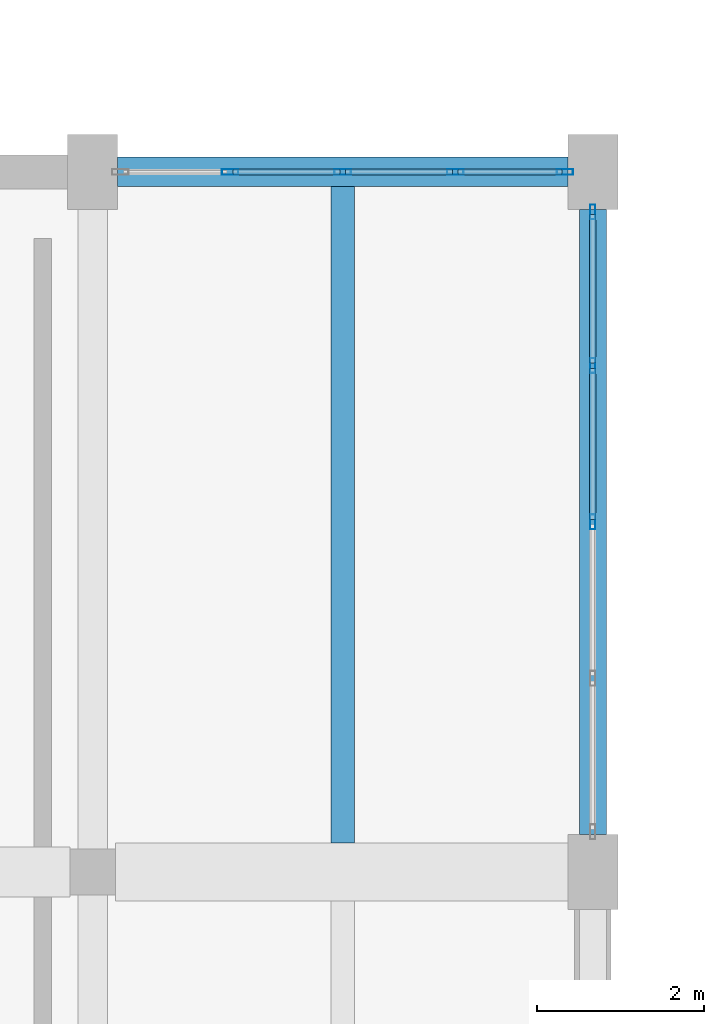
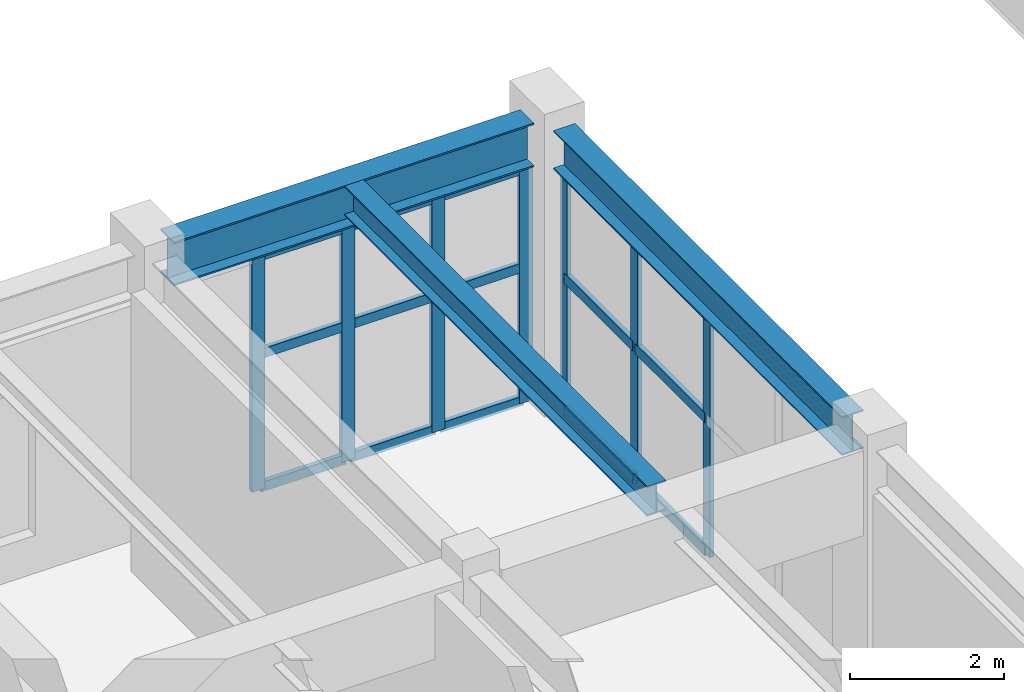
# One storey, part 46 of 96: 22 members, 3 beams, 2 elements without a shape of their own.
"""IFC4 building model written with IfcOpenShell, lengths in metres."""

from ifc_helpers import new_model, si_unit, direction, frame, origin, origin_2d, place, context, subcontext, project, spatial, hollow_rectangle, i_section, extrude, material, layer, layer_set, material_profile, profile_set, type_object, element, aggregate, save


model = new_model("IFC4")

# Units and contexts
model_context = context("Model", 3, precision=1e-05, world=origin(), true_north=direction((0.0, 1.0)))
body_context = subcontext(model_context, "Body", "Model", "MODEL_VIEW")
ifc_project = project(units=[si_unit("LENGTHUNIT", "METRE"), si_unit("AREAUNIT", "SQUARE_METRE"), si_unit("VOLUMEUNIT", "CUBIC_METRE"), si_unit("PLANEANGLEUNIT", "RADIAN"), si_unit("MASSUNIT", "GRAM", prefix="KILO")], contexts=[model_context])

# Site, building, storey
site_placement = place(None, origin())
site = spatial("IfcSite", under=ifc_project, at=site_placement, CompositionType="ELEMENT")
building_placement = place(site_placement, origin())
building = spatial("IfcBuilding", under=site, at=building_placement, Name="Vaelkrest Opera House", CompositionType="ELEMENT")
storey_placement = place(building_placement, frame((0.0, 0.0, 5.39990234375)))
storey = spatial("IfcBuildingStorey", under=building, at=storey_placement, Name="L01", CompositionType="ELEMENT", Elevation=5.39990234375)

# Curtain wall, members
ifc_material_1 = material(Name="Dark bronze anodized aluminium", Category="aluminium")
ifc_layer_1 = layer(ifc_material_1, 0.219970703125)
ifc_layer_set_1 = layer_set([ifc_layer_1], Name="Dark bronze anodized aluminium")
curtain_wall_type_1 = type_object("IfcCurtainWallType", Name="CW05", PredefinedType="NOTDEFINED", material=ifc_layer_set_1)
curtain_wall_1_placement = place(storey_placement, origin())
curtain_wall_1 = element("IfcCurtainWall", 1, at=curtain_wall_1_placement, inside=storey, type_object=curtain_wall_type_1, Name="Curtain wall CW-L01-110", PredefinedType="NOTDEFINED")
ifc_material_profile_1 = material_profile(ifc_material_1, hollow_rectangle(XDim=0.06494140625, YDim=0.179931640625, WallThickness=0.00390625, at=origin_2d()), Name="CWM65X180")
ifc_profile_set_1 = profile_set([ifc_material_profile_1], Name="Dark bronze anodized aluminium")
member_type_1 = type_object("IfcMemberType", Name="CWM01", PredefinedType="MULLION", material=ifc_profile_set_1)
member_1_placement = place(storey_placement, frame((-33.60009765625, 33.119384765625, 0.0), z_axis=(0.0, 0.0, 1.0), x_axis=(1.0, 0.0, 0.0)))
member_1 = element("IfcMember", 2, at=member_1_placement, type_object=member_type_1, Name="CW05 mullion 1", PredefinedType="MULLION", context=body_context, shape_type="SweptSolid", body=[
    extrude(hollow_rectangle(XDim=0.06494140625, YDim=0.179931640625, WallThickness=0.00390625, at=origin_2d()), origin(), (0.0, 0.0, 1.0), 3.82421875),
])
member_2_placement = place(storey_placement, frame((-33.60009765625, 31.27587890625, 0.0), z_axis=(0.0, 0.0, 1.0), x_axis=(1.0, 0.0, 0.0)))
member_2 = element("IfcMember", 3, at=member_2_placement, type_object=member_type_1, Name="CW05 mullion 2", PredefinedType="MULLION", context=body_context, shape_type="SweptSolid", body=[
    extrude(hollow_rectangle(XDim=0.06494140625, YDim=0.179931640625, WallThickness=0.00390625, at=origin_2d()), origin(), (0.0, 0.0, 1.0), 3.82421875),
])
member_3_placement = place(storey_placement, frame((-33.60009765625, 29.39990234375, 0.0), z_axis=(0.0, 0.0, 1.0), x_axis=(1.0, 0.0, 0.0)))
member_3 = element("IfcMember", 4, at=member_3_placement, type_object=member_type_1, Name="CW05 mullion 3", PredefinedType="MULLION", context=body_context, shape_type="SweptSolid", body=[
    extrude(hollow_rectangle(XDim=0.06494140625, YDim=0.179931640625, WallThickness=0.00390625, at=origin_2d()), origin(), (0.0, 0.0, 1.0), 3.82421875),
])

ifc_layer_2 = layer(ifc_material_1, 0.18994140625)
ifc_layer_set_2 = layer_set([ifc_layer_2], Name="Dark bronze anodized aluminium")
curtain_wall_type_2 = type_object("IfcCurtainWallType", Name="CW02", PredefinedType="NOTDEFINED", material=ifc_layer_set_2)
curtain_wall_2_placement = place(storey_placement, origin())
curtain_wall_2 = element("IfcCurtainWall", 5, at=curtain_wall_2_placement, inside=storey, type_object=curtain_wall_type_2, Name="Curtain wall CW-L01-109", PredefinedType="NOTDEFINED")
ifc_material_profile_2 = material_profile(ifc_material_1, hollow_rectangle(XDim=0.070068359375, YDim=0.199951171875, WallThickness=0.004150390625, at=origin_2d()), Name="CWM70X200")
ifc_profile_set_2 = profile_set([ifc_material_profile_2], Name="Dark bronze anodized aluminium")
member_type_2 = type_object("IfcMemberType", Name="CWM02", PredefinedType="MULLION", material=ifc_profile_set_2)
member_4_placement = place(storey_placement, frame((-37.950927734375, 33.60009765625, 0.0), z_axis=(0.0, 0.0, 1.0), x_axis=(0.0, 1.0, 0.0)))
member_4 = element("IfcMember", 6, at=member_4_placement, type_object=member_type_2, Name="CW02 mullion 2", PredefinedType="MULLION", context=body_context, shape_type="SweptSolid", body=[
    extrude(hollow_rectangle(XDim=0.070068359375, YDim=0.199951171875, WallThickness=0.004150390625, at=origin_2d()), origin(), (0.0, 0.0, 1.0), 3.739990234375),
])
member_5_placement = place(storey_placement, frame((-36.60009765625, 33.60009765625, 0.0), z_axis=(0.0, 0.0, 1.0), x_axis=(0.0, 1.0, 0.0)))
member_5 = element("IfcMember", 7, at=member_5_placement, type_object=member_type_2, Name="CW02 mullion 3", PredefinedType="MULLION", context=body_context, shape_type="SweptSolid", body=[
    extrude(hollow_rectangle(XDim=0.070068359375, YDim=0.199951171875, WallThickness=0.004150390625, at=origin_2d()), origin(), (0.0, 0.0, 1.0), 3.739990234375),
])
member_6_placement = place(storey_placement, frame((-35.2490234375, 33.60009765625, 0.0), z_axis=(0.0, 0.0, 1.0), x_axis=(0.0, 1.0, 0.0)))
member_6 = element("IfcMember", 8, at=member_6_placement, type_object=member_type_2, Name="CW02 mullion 4", PredefinedType="MULLION", context=body_context, shape_type="SweptSolid", body=[
    extrude(hollow_rectangle(XDim=0.070068359375, YDim=0.199951171875, WallThickness=0.004150390625, at=origin_2d()), origin(), (0.0, 0.0, 1.0), 3.739990234375),
])
member_7_placement = place(storey_placement, frame((-33.93310546875, 33.60009765625, 0.0), z_axis=(0.0, 0.0, 1.0), x_axis=(0.0, 1.0, 0.0)))
member_7 = element("IfcMember", 9, at=member_7_placement, type_object=member_type_2, Name="CW02 mullion 5", PredefinedType="MULLION", context=body_context, shape_type="SweptSolid", body=[
    extrude(hollow_rectangle(XDim=0.070068359375, YDim=0.199951171875, WallThickness=0.004150390625, at=origin_2d()), origin(), (0.0, 0.0, 1.0), 3.739990234375),
])
ifc_material_profile_3 = material_profile(ifc_material_1, hollow_rectangle(XDim=0.070068359375, YDim=0.14990234375, WallThickness=0.004150390625, at=origin_2d()), Name="CWT70X150")
ifc_profile_set_3 = profile_set([ifc_material_profile_3], Name="Dark bronze anodized aluminium")
member_type_3 = type_object("IfcMemberType", Name="CWT02", PredefinedType="USERDEFINED", material=ifc_profile_set_3)
member_8_placement = place(storey_placement, frame((-37.916015625, 33.60009765625, 0.03515625), z_axis=(1.0, 0.0, 0.0), x_axis=(0.0, 1.0, 0.0)))
member_8 = element("IfcMember", 10, at=member_8_placement, type_object=member_type_3, Name="CW02 transom 2.1", ObjectType="TRANSOM", PredefinedType="USERDEFINED", context=body_context, shape_type="SweptSolid", body=[
    extrude(hollow_rectangle(XDim=0.070068359375, YDim=0.14990234375, WallThickness=0.004150390625, at=origin_2d()), origin(), (0.0, 0.0, 1.0), 1.281005859375),
])
member_9_placement = place(storey_placement, frame((-37.916015625, 33.60009765625, 2.150146484375), z_axis=(1.0, 0.0, 0.0), x_axis=(0.0, 1.0, 0.0)))
member_9 = element("IfcMember", 11, at=member_9_placement, type_object=member_type_3, Name="CW02 transom 2.2", ObjectType="TRANSOM", PredefinedType="USERDEFINED", context=body_context, shape_type="SweptSolid", body=[
    extrude(hollow_rectangle(XDim=0.070068359375, YDim=0.14990234375, WallThickness=0.004150390625, at=origin_2d()), origin(), (0.0, 0.0, 1.0), 1.281005859375),
])
member_10_placement = place(storey_placement, frame((-37.916015625, 33.60009765625, 3.705078125), z_axis=(1.0, 0.0, 0.0), x_axis=(0.0, 1.0, 0.0)))
member_10 = element("IfcMember", 12, at=member_10_placement, type_object=member_type_3, Name="CW02 transom 2.3", ObjectType="TRANSOM", PredefinedType="USERDEFINED", context=body_context, shape_type="SweptSolid", body=[
    extrude(hollow_rectangle(XDim=0.070068359375, YDim=0.14990234375, WallThickness=0.004150390625, at=origin_2d()), origin(), (0.0, 0.0, 1.0), 1.281005859375),
])
member_11_placement = place(storey_placement, frame((-36.56494140625, 33.60009765625, 0.03515625), z_axis=(1.0, 0.0, 0.0), x_axis=(0.0, 1.0, 0.0)))
member_11 = element("IfcMember", 13, at=member_11_placement, type_object=member_type_3, Name="CW02 transom 3.1", ObjectType="TRANSOM", PredefinedType="USERDEFINED", context=body_context, shape_type="SweptSolid", body=[
    extrude(hollow_rectangle(XDim=0.070068359375, YDim=0.14990234375, WallThickness=0.004150390625, at=origin_2d()), origin(), (0.0, 0.0, 1.0), 1.281005859375),
])
member_12_placement = place(storey_placement, frame((-36.56494140625, 33.60009765625, 2.150146484375), z_axis=(1.0, 0.0, 0.0), x_axis=(0.0, 1.0, 0.0)))
member_12 = element("IfcMember", 14, at=member_12_placement, type_object=member_type_3, Name="CW02 transom 3.2", ObjectType="TRANSOM", PredefinedType="USERDEFINED", context=body_context, shape_type="SweptSolid", body=[
    extrude(hollow_rectangle(XDim=0.070068359375, YDim=0.14990234375, WallThickness=0.004150390625, at=origin_2d()), origin(), (0.0, 0.0, 1.0), 1.281005859375),
])
member_13_placement = place(storey_placement, frame((-36.56494140625, 33.60009765625, 3.705078125), z_axis=(1.0, 0.0, 0.0), x_axis=(0.0, 1.0, 0.0)))
member_13 = element("IfcMember", 15, at=member_13_placement, type_object=member_type_3, Name="CW02 transom 3.3", ObjectType="TRANSOM", PredefinedType="USERDEFINED", context=body_context, shape_type="SweptSolid", body=[
    extrude(hollow_rectangle(XDim=0.070068359375, YDim=0.14990234375, WallThickness=0.004150390625, at=origin_2d()), origin(), (0.0, 0.0, 1.0), 1.281005859375),
])
member_14_placement = place(storey_placement, frame((-35.214111328125, 33.60009765625, 0.03515625), z_axis=(1.0, 0.0, 0.0), x_axis=(0.0, 1.0, 0.0)))
member_14 = element("IfcMember", 16, at=member_14_placement, type_object=member_type_3, Name="CW02 transom 4.1", ObjectType="TRANSOM", PredefinedType="USERDEFINED", context=body_context, shape_type="SweptSolid", body=[
    extrude(hollow_rectangle(XDim=0.070068359375, YDim=0.14990234375, WallThickness=0.004150390625, at=origin_2d()), origin(), (0.0, 0.0, 1.0), 1.24609375),
])
member_15_placement = place(storey_placement, frame((-35.214111328125, 33.60009765625, 2.150146484375), z_axis=(1.0, 0.0, 0.0), x_axis=(0.0, 1.0, 0.0)))
member_15 = element("IfcMember", 17, at=member_15_placement, type_object=member_type_3, Name="CW02 transom 4.2", ObjectType="TRANSOM", PredefinedType="USERDEFINED", context=body_context, shape_type="SweptSolid", body=[
    extrude(hollow_rectangle(XDim=0.070068359375, YDim=0.14990234375, WallThickness=0.004150390625, at=origin_2d()), origin(), (0.0, 0.0, 1.0), 1.24609375),
])
member_16_placement = place(storey_placement, frame((-35.214111328125, 33.60009765625, 3.705078125), z_axis=(1.0, 0.0, 0.0), x_axis=(0.0, 1.0, 0.0)))
member_16 = element("IfcMember", 18, at=member_16_placement, type_object=member_type_3, Name="CW02 transom 4.3", ObjectType="TRANSOM", PredefinedType="USERDEFINED", context=body_context, shape_type="SweptSolid", body=[
    extrude(hollow_rectangle(XDim=0.070068359375, YDim=0.14990234375, WallThickness=0.004150390625, at=origin_2d()), origin(), (0.0, 0.0, 1.0), 1.24609375),
])
aggregate(curtain_wall_2, [member_4, member_5, member_6, member_7, member_8, member_9, member_10, member_11, member_12, member_13, member_14, member_15, member_16])

# Member
ifc_material_profile_4 = material_profile(ifc_material_1, hollow_rectangle(XDim=0.074951171875, YDim=0.159912109375, WallThickness=0.00439453125, at=origin_2d()), Name="CWT75X160")
ifc_profile_set_4 = profile_set([ifc_material_profile_4], Name="Dark bronze anodized aluminium")
member_type_4 = type_object("IfcMemberType", Name="CWT03", PredefinedType="USERDEFINED", material=ifc_profile_set_4)
member_17_placement = place(storey_placement, frame((-33.60009765625, 33.0869140625, 0.03759765625), z_axis=(0.0, -1.0, 0.0), x_axis=(1.0, 0.0, 0.0)))
member_17 = element("IfcMember", 19, at=member_17_placement, type_object=member_type_4, Name="CW05 transom 1.1", ObjectType="TRANSOM", PredefinedType="USERDEFINED", context=body_context, shape_type="SweptSolid", body=[
    extrude(hollow_rectangle(XDim=0.074951171875, YDim=0.159912109375, WallThickness=0.00439453125, at=origin_2d()), origin(), (0.0, 0.0, 1.0), 1.7783203125),
])

member_18_placement = place(storey_placement, frame((-33.60009765625, 33.0869140625, 2.150146484375), z_axis=(0.0, -1.0, 0.0), x_axis=(1.0, 0.0, 0.0)))
member_18 = element("IfcMember", 20, at=member_18_placement, type_object=member_type_4, Name="CW05 transom 1.2", ObjectType="TRANSOM", PredefinedType="USERDEFINED", context=body_context, shape_type="SweptSolid", body=[
    extrude(hollow_rectangle(XDim=0.074951171875, YDim=0.159912109375, WallThickness=0.00439453125, at=origin_2d()), origin(), (0.0, 0.0, 1.0), 1.7783203125),
])

member_19_placement = place(storey_placement, frame((-33.60009765625, 33.0869140625, 3.78662109375), z_axis=(0.0, -1.0, 0.0), x_axis=(1.0, 0.0, 0.0)))
member_19 = element("IfcMember", 21, at=member_19_placement, type_object=member_type_4, Name="CW05 transom 1.3", ObjectType="TRANSOM", PredefinedType="USERDEFINED", context=body_context, shape_type="SweptSolid", body=[
    extrude(hollow_rectangle(XDim=0.074951171875, YDim=0.159912109375, WallThickness=0.00439453125, at=origin_2d()), origin(), (0.0, 0.0, 1.0), 1.7783203125),
])

member_20_placement = place(storey_placement, frame((-33.60009765625, 31.243408203125, 0.03759765625), z_axis=(0.0, -1.0, 0.0), x_axis=(1.0, 0.0, 0.0)))
member_20 = element("IfcMember", 22, at=member_20_placement, type_object=member_type_4, Name="CW05 transom 2.1", ObjectType="TRANSOM", PredefinedType="USERDEFINED", context=body_context, shape_type="SweptSolid", body=[
    extrude(hollow_rectangle(XDim=0.074951171875, YDim=0.159912109375, WallThickness=0.00439453125, at=origin_2d()), origin(), (0.0, 0.0, 1.0), 1.810791015625),
])

member_21_placement = place(storey_placement, frame((-33.60009765625, 31.243408203125, 2.150146484375), z_axis=(0.0, -1.0, 0.0), x_axis=(1.0, 0.0, 0.0)))
member_21 = element("IfcMember", 23, at=member_21_placement, type_object=member_type_4, Name="CW05 transom 2.2", ObjectType="TRANSOM", PredefinedType="USERDEFINED", context=body_context, shape_type="SweptSolid", body=[
    extrude(hollow_rectangle(XDim=0.074951171875, YDim=0.159912109375, WallThickness=0.00439453125, at=origin_2d()), origin(), (0.0, 0.0, 1.0), 1.810791015625),
])

member_22_placement = place(storey_placement, frame((-33.60009765625, 31.243408203125, 3.78662109375), z_axis=(0.0, -1.0, 0.0), x_axis=(1.0, 0.0, 0.0)))
member_22 = element("IfcMember", 24, at=member_22_placement, type_object=member_type_4, Name="CW05 transom 2.3", ObjectType="TRANSOM", PredefinedType="USERDEFINED", context=body_context, shape_type="SweptSolid", body=[
    extrude(hollow_rectangle(XDim=0.074951171875, YDim=0.159912109375, WallThickness=0.00439453125, at=origin_2d()), origin(), (0.0, 0.0, 1.0), 1.810791015625),
])

aggregate(curtain_wall_1, [member_1, member_2, member_3, member_17, member_18, member_19, member_20, member_21, member_22])

# Beams
ifc_material_2 = material(Name="Steel A992 Gr50", Category="steel")
ifc_material_profile_5 = material_profile(ifc_material_2, i_section(OverallWidth=0.282958984375, OverallDepth=0.471923828125, WebThickness=0.013671875, FlangeThickness=0.022216796875, at=origin_2d()), Name="W18X97")
ifc_profile_set_5 = profile_set([ifc_material_profile_5], Name="Steel A992 Gr50")
beam_type_1 = type_object("IfcBeamType", Name="J10", PredefinedType="JOIST", material=ifc_profile_set_5)
beam_1_placement = place(storey_placement, frame((-36.60009765625, 25.550048828125, 4.26416015625), z_axis=(0.0, 1.0, 0.0), x_axis=(-1.0, 0.0, 0.0)))
element("IfcBeam", 25, at=beam_1_placement, inside=storey, type_object=beam_type_1, Name="Floor joist JST-V3-L01-1620", PredefinedType="JOIST", context=body_context, shape_type="SweptSolid", body=[
    extrude(i_section(OverallWidth=0.282958984375, OverallDepth=0.471923828125, WebThickness=0.013671875, FlangeThickness=0.022216796875, at=origin_2d()), origin(), (0.0, 0.0, 1.0), 7.87255859375),
])
ifc_material_profile_6 = material_profile(ifc_material_2, i_section(OverallWidth=0.323974609375, OverallDepth=0.611083984375, WebThickness=0.0126953125, FlangeThickness=0.01904296875, at=origin_2d()), Name="W24X104")
ifc_profile_set_6 = profile_set([ifc_material_profile_6], Name="Steel A992 Gr50")
beam_type_2 = type_object("IfcBeamType", Name="SP01", PredefinedType="SPANDREL", material=ifc_profile_set_6)
beam_2_placement = place(storey_placement, frame((-33.60009765625, 25.64990234375, 4.194580078125), z_axis=(0.0, 1.0, 0.0), x_axis=(-1.0, 0.0, 0.0)))
element("IfcBeam", 26, at=beam_2_placement, inside=storey, type_object=beam_type_2, Name="Beam BM-V3-L01-1592", PredefinedType="SPANDREL", context=body_context, shape_type="SweptSolid", body=[
    extrude(i_section(OverallWidth=0.323974609375, OverallDepth=0.611083984375, WebThickness=0.0126953125, FlangeThickness=0.01904296875, at=origin_2d()), origin(), (0.0, 0.0, 1.0), 7.5),
])
ifc_material_profile_7 = material_profile(ifc_material_2, i_section(OverallWidth=0.35498046875, OverallDepth=0.695068359375, WebThickness=0.015380859375, FlangeThickness=0.02490234375, at=origin_2d()), Name="W27X146")
ifc_profile_set_7 = profile_set([ifc_material_profile_7], Name="Steel A992 Gr50")
beam_type_3 = type_object("IfcBeamType", Name="SP02", PredefinedType="SPANDREL", material=ifc_profile_set_7)
beam_3_placement = place(storey_placement, frame((-39.300048828125, 33.60009765625, 4.152587890625), z_axis=(1.0, 0.0, 0.0), x_axis=(0.0, 1.0, 0.0)))
element("IfcBeam", 27, at=beam_3_placement, inside=storey, type_object=beam_type_3, Name="Beam BM-V3-L01-1550", PredefinedType="SPANDREL", context=body_context, shape_type="SweptSolid", body=[
    extrude(i_section(OverallWidth=0.35498046875, OverallDepth=0.695068359375, WebThickness=0.015380859375, FlangeThickness=0.02490234375, at=origin_2d()), origin(), (0.0, 0.0, 1.0), 5.400146484375),
])

save(model, "model.ifc")
